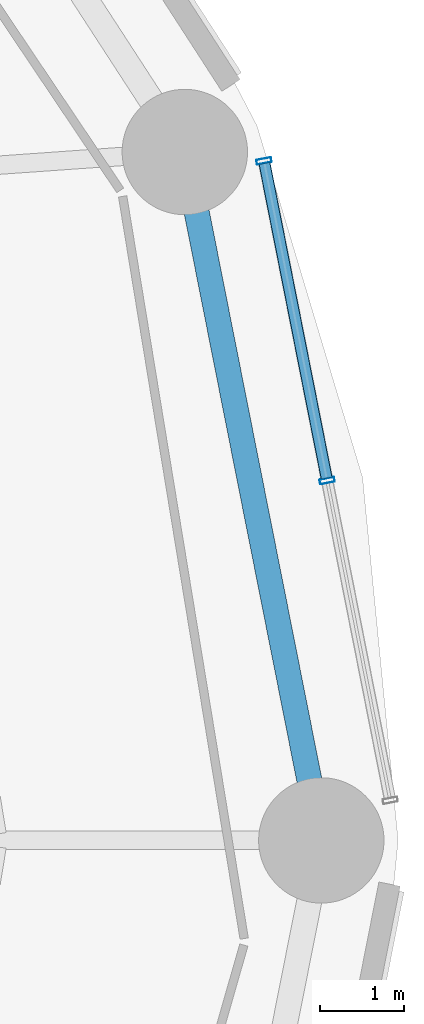
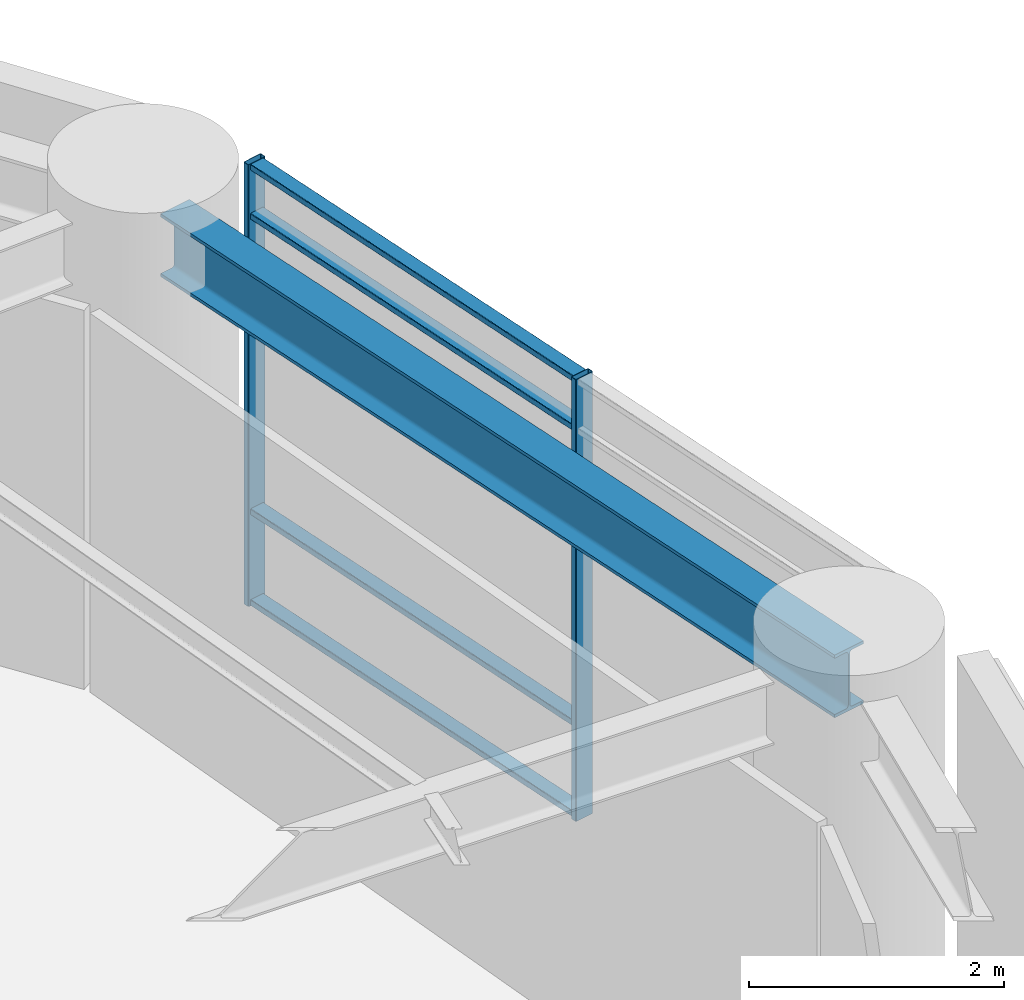
# One storey, part 24 of 46: 6 members, 1 beam, 1 element without a shape of its own.
"""IFC4 building model written with IfcOpenShell, lengths in metres."""

import ifcopenshell
import ifcopenshell.guid

model = None  # the IFC model being written
_history = None  # IfcOwnerHistory: only IFC2X3 demands one
_inside = {}  # id of a spatial element -> (the spatial element, [elements in it])
_under = {}  # id of a project, library or spatial element -> (it, [spatial elements below it])
_declared = {}  # id of a project -> (the project, [libraries it declares])
_typed = {}  # id of a type object -> (the type object, [elements of that type])
_made_of = {}  # id of a material, layer set ... -> (it, [elements and type objects made of it])


def new_model(schema):
    """Start an empty IFC model of exactly this schema.

    Asked for "IFC4X3", IfcOpenShell would pick the latest addendum, in which some entities
    have other attributes; the version numbers below select the first issue.
    IFC2X3 requires an IfcOwnerHistory on every rooted entity: one is made here for all.
    """
    global model, _history
    if schema == "IFC4X3":
        model = ifcopenshell.file(schema_version=(4, 3, 0, 0))
    else:
        model = ifcopenshell.file(schema=schema)
    _inside.clear()
    _under.clear()
    _declared.clear()
    _typed.clear()
    _made_of.clear()
    _history = None
    if model.schema == "IFC2X3":
        org = make("IfcOrganization", Name="unknown")
        user = make(
            "IfcPersonAndOrganization",
            ThePerson=make("IfcPerson", FamilyName="unknown"),
            TheOrganization=org,
        )
        app = make(
            "IfcApplication",
            ApplicationDeveloper=org,
            Version="unknown",
            ApplicationFullName="unknown",
            ApplicationIdentifier="unknown",
        )
        _history = make(
            "IfcOwnerHistory",
            OwningUser=user,
            OwningApplication=app,
            ChangeAction="ADDED",
            CreationDate=0,
        )
    return model


def make(cls, **values):
    """One entity of the class cls with the attributes given. An attribute that is None is left unset."""
    return model.create_entity(
        cls, **{name: value for name, value in values.items() if value is not None}
    )


def rooted(cls, **values):
    """An entity with a GlobalId (a new one), such as an element, a storey or a relation."""
    return make(cls, GlobalId=ifcopenshell.guid.new(), OwnerHistory=_history, **values)


def si_unit(unit_type, name, prefix=None):
    """IfcSIUnit, for example si_unit("LENGTHUNIT", "METRE", prefix="MILLI")."""
    return make("IfcSIUnit", UnitType=unit_type, Prefix=prefix, Name=name)


def assignment(units):
    """IfcUnitAssignment: the units of a project."""
    return None if units is None else make("IfcUnitAssignment", Units=units)


def point(xyz):
    """IfcCartesianPoint."""
    return None if xyz is None else make("IfcCartesianPoint", Coordinates=xyz)


def direction(xyz):
    """IfcDirection."""
    return None if xyz is None else make("IfcDirection", DirectionRatios=xyz)


def frame(location, z_axis=None, x_axis=None):
    """IfcAxis2Placement3D, a coordinate frame: its origin and axes. An axis left out is left unset."""
    return make(
        "IfcAxis2Placement3D",
        Location=point(location),
        Axis=direction(z_axis),
        RefDirection=direction(x_axis),
    )


def frame_2d(location, x_axis=None):
    """IfcAxis2Placement2D, a coordinate frame in the plane: its origin and x axis."""
    return make(
        "IfcAxis2Placement2D", Location=point(location), RefDirection=direction(x_axis)
    )


def origin():
    """The frame at (0, 0, 0) with its axes left unset."""
    return frame((0.0, 0.0, 0.0))


def origin_2d():
    """The frame at (0, 0) in the plane with its x axis left unset."""
    return frame_2d((0.0, 0.0))


def place(relative_to, where):
    """IfcLocalPlacement: puts the frame where relative to a parent placement (None: the world)."""
    return make(
        "IfcLocalPlacement", PlacementRelTo=relative_to, RelativePlacement=where
    )


def context(
    kind, dimensions, precision=None, world=None, true_north=None, identifier=None
):
    """IfcGeometricRepresentationContext, for example the 3D "Model" context."""
    return make(
        "IfcGeometricRepresentationContext",
        ContextIdentifier=identifier,
        ContextType=kind,
        CoordinateSpaceDimension=dimensions,
        Precision=precision,
        WorldCoordinateSystem=world,
        TrueNorth=true_north,
    )


def subcontext(parent, identifier, kind, view, scale=None):
    """IfcGeometricRepresentationSubContext, for example "Body" below "Model"."""
    return make(
        "IfcGeometricRepresentationSubContext",
        ContextIdentifier=identifier,
        ContextType=kind,
        ParentContext=parent,
        TargetScale=scale,
        TargetView=view,
    )


def project(units=None, contexts=None):
    """IfcProject with its units and contexts."""
    return rooted(
        "IfcProject",
        Name="project",
        RepresentationContexts=contexts,
        UnitsInContext=assignment(units),
    )


def spatial(cls, under=None, at=None, **own):
    """A site, building, storey or space (cls), placed at a placement, below another one or the project."""
    s = rooted(cls, ObjectPlacement=at, **own)
    if under is not None:
        _under.setdefault(under.id(), (under, []))[1].append(s)
    return s


def profile(cls, at=None, kind="AREA", **sizes):
    """A parametric profile (cls). Its sizes go by their IFC names, for example OverallWidth=200.0."""
    return make(cls, ProfileType=kind, Position=at, **sizes)


def hollow_rectangle(**sizes):
    """IfcRectangleHollowProfileDef."""
    return profile("IfcRectangleHollowProfileDef", **sizes)


def i_section(**sizes):
    """IfcIShapeProfileDef."""
    return profile("IfcIShapeProfileDef", **sizes)


def extrude(swept, where, along, depth):
    """IfcExtrudedAreaSolid: the profile swept, set in the frame where, extruded along a direction by depth."""
    return make(
        "IfcExtrudedAreaSolid",
        SweptArea=swept,
        Position=where,
        ExtrudedDirection=direction(along),
        Depth=depth,
    )


def shape(context_of_items, identifier, shape_type, items):
    """IfcShapeRepresentation: the items that make up one representation, for example the "Body"."""
    return make(
        "IfcShapeRepresentation",
        ContextOfItems=context_of_items,
        RepresentationIdentifier=identifier,
        RepresentationType=shape_type,
        Items=items,
    )


def material(Name=None, Category=None):
    """IfcMaterial."""
    return make("IfcMaterial", Name=Name, Category=Category)


def layer(
    of_material, thickness, ventilated=None, Name=None, Category=None, Priority=None
):
    """IfcMaterialLayer: one layer of a wall or slab, of a material (None: an air gap)."""
    return make(
        "IfcMaterialLayer",
        Material=of_material,
        LayerThickness=thickness,
        IsVentilated=ventilated,
        Name=Name,
        Category=Category,
        Priority=Priority,
    )


def layer_set(layers, Name=None):
    """IfcMaterialLayerSet."""
    return make("IfcMaterialLayerSet", MaterialLayers=layers, LayerSetName=Name)


def material_profile(
    of_material, cross_section, Name=None, Category=None, Priority=None
):
    """IfcMaterialProfile: a cross section and its material."""
    return make(
        "IfcMaterialProfile",
        Name=Name,
        Material=of_material,
        Profile=cross_section,
        Priority=Priority,
        Category=Category,
    )


def profile_set(profiles, Name=None, composite=None):
    """IfcMaterialProfileSet."""
    return make(
        "IfcMaterialProfileSet",
        Name=Name,
        MaterialProfiles=profiles,
        CompositeProfile=composite,
    )


def made_of(thing, what):
    """Note that an element or type object is made of a material, layer set ...; save() writes the relation."""
    if what is not None:
        _made_of.setdefault(what.id(), (what, []))[1].append(thing)
    return thing


def type_object(cls, material=None, **own):
    """A type object (cls), such as IfcWallType, which elements share."""
    return made_of(rooted(cls, **own), material)


def element(
    cls,
    number,
    at=None,
    inside=None,
    cuts=None,
    type_object=None,
    material=None,
    context=None,
    identifier="Body",
    shape_type=None,
    held_by="IfcProductDefinitionShape",
    body=None,
    shapes=None,
    **own,
):
    """One element of the class cls, such as IfcWall. Its Tag is "e" and its number.

    at: its placement. inside: the storey or other place that contains it. cuts: it is an
    opening in that element (IfcRelVoidsElement). A single representation is given by context,
    identifier, shape_type and body (its items); several are given by shapes. held_by: the class
    of the entity that holds the representations. save() writes the other relations.
    """
    e = rooted(cls, Tag="e%d" % number, ObjectPlacement=at, **own)
    if body is not None:
        shapes = [shape(context, identifier, shape_type, body)]
    if shapes is not None:
        e.Representation = make(held_by, Representations=shapes)
    if inside is not None:
        _inside.setdefault(inside.id(), (inside, []))[1].append(e)
    if cuts is not None:
        rooted(
            "IfcRelVoidsElement", RelatingBuildingElement=cuts, RelatedOpeningElement=e
        )
    if type_object is not None:
        _typed.setdefault(type_object.id(), (type_object, []))[1].append(e)
    return made_of(e, material)


def aggregate(whole, parts):
    """IfcRelAggregates: a whole, such as a stair, and the parts it consists of."""
    return rooted("IfcRelAggregates", RelatingObject=whole, RelatedObjects=parts)


def save(model, path):
    """Write the relations noted so far, then the file.

    IfcRelAggregates (storeys below a building ...), IfcRelContainedInSpatialStructure (elements
    in a storey), IfcRelDefinesByType, IfcRelAssociatesMaterial and IfcRelDeclares: one each for
    every whole, place, type object, material and project.
    """
    for whole, parts in _under.values():
        aggregate(whole, parts)
    for where, things in _inside.values():
        rooted(
            "IfcRelContainedInSpatialStructure",
            RelatedElements=things,
            RelatingStructure=where,
        )
    for kind, things in _typed.values():
        rooted("IfcRelDefinesByType", RelatedObjects=things, RelatingType=kind)
    for what, things in _made_of.values():
        rooted("IfcRelAssociatesMaterial", RelatedObjects=things, RelatingMaterial=what)
    for by, libraries in _declared.values():
        rooted("IfcRelDeclares", RelatingContext=by, RelatedDefinitions=libraries)
    model.write(path)


model = new_model("IFC4")

# Units and contexts
model_context = context("Model", 3, precision=1e-05, world=origin(), true_north=direction((0.0, 1.0)))
body_context = subcontext(model_context, "Body", "Model", "MODEL_VIEW")
ifc_project = project(units=[si_unit("LENGTHUNIT", "METRE"), si_unit("AREAUNIT", "SQUARE_METRE"), si_unit("VOLUMEUNIT", "CUBIC_METRE"), si_unit("PLANEANGLEUNIT", "RADIAN"), si_unit("MASSUNIT", "GRAM", prefix="KILO")], contexts=[model_context])

# Site, building, storey
site_placement = place(None, origin())
site = spatial("IfcSite", under=ifc_project, at=site_placement, CompositionType="ELEMENT")
building_placement = place(site_placement, origin())
building = spatial("IfcBuilding", under=site, at=building_placement, Name="Kelanora Arch Commons", CompositionType="ELEMENT")
storey_placement = place(building_placement, frame((0.0, 0.0, 18.0)))
storey = spatial("IfcBuildingStorey", under=building, at=storey_placement, Name="L04", CompositionType="ELEMENT", Elevation=18.0)

# Beam
ifc_material_1 = material(Name="Steel S355", Category="steel")
ifc_material_profile_1 = material_profile(ifc_material_1, i_section(OverallWidth=0.300048828125, OverallDepth=0.60009765625, WebThickness=0.015380859375, FlangeThickness=0.030029296875, FilletRadius=0.027099609375, at=origin_2d()), Name="HEB600")
ifc_profile_set_1 = profile_set([ifc_material_profile_1], Name="Steel S355")
beam_type = type_object("IfcBeamType", Name="BM-SPN-Z1", PredefinedType="SPANDREL", material=ifc_profile_set_1)
beam_placement = place(storey_placement, frame((101.080078125, 58.0, 3.93994140625), z_axis=(-0.194522790633, 0.980897998736, 0.0), x_axis=(-0.980897998736, -0.194522790633, 0.0)))
element("IfcBeam", 1, at=beam_placement, inside=storey, type_object=beam_type, Name="Perimeter Spandrel Beam BS-00 L04", PredefinedType="SPANDREL", context=body_context, shape_type="SweptSolid", body=[
    extrude(i_section(OverallWidth=0.300048828125, OverallDepth=0.60009765625, WebThickness=0.015380859375, FlangeThickness=0.030029296875, FilletRadius=0.027099609375, at=origin_2d()), origin(), (0.0, 0.0, 1.0), 8.01611328125),
])

# Curtain wall, members
ifc_material_2 = material(Name="Terracotta ceramic-fritted low-E glass and aluminium", Category="masonry")
ifc_layer = layer(ifc_material_2, 0.2099609375)
ifc_layer_set = layer_set([ifc_layer], Name="Terracotta ceramic-fritted low-E glass and aluminium")
curtain_wall_type = type_object("IfcCurtainWallType", Name="CW-SYS-04", PredefinedType="NOTDEFINED", material=ifc_layer_set)
curtain_wall_placement = place(storey_placement, origin())
curtain_wall = element("IfcCurtainWall", 2, at=curtain_wall_placement, inside=storey, type_object=curtain_wall_type, Name="Unitised Curtain Wall L04-B00", PredefinedType="NOTDEFINED")
ifc_material_3 = material(Name="Powder-coated aluminium terracotta", Category="masonry")
ifc_material_profile_2 = material_profile(ifc_material_3, hollow_rectangle(XDim=0.179931640625, YDim=0.06005859375, WallThickness=0.0048828125, InnerFilletRadius=0.0048828125, OuterFilletRadius=0.010009765625, at=origin_2d()), Name="CWM180x60")
ifc_profile_set_2 = profile_set([ifc_material_profile_2], Name="Powder-coated aluminium terracotta")
member_type_1 = type_object("IfcMemberType", Name="CWM-HVY", PredefinedType="MULLION", material=ifc_profile_set_2)
member_1_placement = place(storey_placement, frame((101.14990234375, 62.30419921875, 0.0), z_axis=(0.0, 0.0, 1.0), x_axis=(-0.981053537743, -0.193736821698, 0.0)))
member_1 = element("IfcMember", 3, at=member_1_placement, type_object=member_type_1, Name="CW-04 mullion 2", PredefinedType="MULLION", context=body_context, shape_type="SweptSolid", body=[
    extrude(hollow_rectangle(XDim=0.179931640625, YDim=0.06005859375, WallThickness=0.0048828125, InnerFilletRadius=0.0048828125, OuterFilletRadius=0.010009765625, at=origin_2d()), origin(), (0.0, 0.0, 1.0), 4.22509765625),
])
member_2_placement = place(storey_placement, frame((100.39453125, 66.12939453125, 0.0), z_axis=(0.0, 0.0, 1.0), x_axis=(-0.981053537743, -0.193736821698, 0.0)))
member_2 = element("IfcMember", 4, at=member_2_placement, type_object=member_type_1, Name="CW-04 mullion 3", PredefinedType="MULLION", context=body_context, shape_type="SweptSolid", body=[
    extrude(hollow_rectangle(XDim=0.179931640625, YDim=0.06005859375, WallThickness=0.0048828125, InnerFilletRadius=0.0048828125, OuterFilletRadius=0.010009765625, at=origin_2d()), origin(), (0.0, 0.0, 1.0), 4.22509765625),
])
ifc_material_profile_3 = material_profile(ifc_material_3, hollow_rectangle(XDim=0.139892578125, YDim=0.06005859375, WallThickness=0.0048828125, InnerFilletRadius=0.0048828125, OuterFilletRadius=0.010009765625, at=origin_2d()), Name="CWT140x60")
ifc_profile_set_3 = profile_set([ifc_material_profile_3], Name="Powder-coated aluminium terracotta")
member_type_2 = type_object("IfcMemberType", Name="CWT-HVY", PredefinedType="USERDEFINED", material=ifc_profile_set_3)
member_3_placement = place(storey_placement, frame((101.144287109375, 62.333740234375, 0.030029296875), z_axis=(-0.193779617254, 0.981045085578, 0.0), x_axis=(-0.981045085578, -0.193779617254, 0.0)))
member_3 = element("IfcMember", 5, at=member_3_placement, type_object=member_type_2, Name="CW-04 transom 2.1", ObjectType="TRANSOM", PredefinedType="USERDEFINED", context=body_context, shape_type="SweptSolid", body=[
    extrude(hollow_rectangle(XDim=0.139892578125, YDim=0.06005859375, WallThickness=0.0048828125, InnerFilletRadius=0.0048828125, OuterFilletRadius=0.010009765625, at=origin_2d()), origin(), (0.0, 0.0, 1.0), 3.8388671875),
])
member_4_placement = place(storey_placement, frame((101.144287109375, 62.333740234375, 0.89990234375), z_axis=(-0.193779617254, 0.981045085578, 0.0), x_axis=(-0.981045085578, -0.193779617254, 0.0)))
member_4 = element("IfcMember", 6, at=member_4_placement, type_object=member_type_2, Name="CW-04 transom 2.2", ObjectType="TRANSOM", PredefinedType="USERDEFINED", context=body_context, shape_type="SweptSolid", body=[
    extrude(hollow_rectangle(XDim=0.139892578125, YDim=0.06005859375, WallThickness=0.0048828125, InnerFilletRadius=0.0048828125, OuterFilletRadius=0.010009765625, at=origin_2d()), origin(), (0.0, 0.0, 1.0), 3.8388671875),
])
member_5_placement = place(storey_placement, frame((101.144287109375, 62.333740234375, 3.72509765625), z_axis=(-0.193779617254, 0.981045085578, 0.0), x_axis=(-0.981045085578, -0.193779617254, 0.0)))
member_5 = element("IfcMember", 7, at=member_5_placement, type_object=member_type_2, Name="CW-04 transom 2.3", ObjectType="TRANSOM", PredefinedType="USERDEFINED", context=body_context, shape_type="SweptSolid", body=[
    extrude(hollow_rectangle(XDim=0.139892578125, YDim=0.06005859375, WallThickness=0.0048828125, InnerFilletRadius=0.0048828125, OuterFilletRadius=0.010009765625, at=origin_2d()), origin(), (0.0, 0.0, 1.0), 3.8388671875),
])
member_6_placement = place(storey_placement, frame((101.144287109375, 62.333740234375, 4.195068359375), z_axis=(-0.193779617254, 0.981045085578, 0.0), x_axis=(-0.981045085578, -0.193779617254, 0.0)))
member_6 = element("IfcMember", 8, at=member_6_placement, type_object=member_type_2, Name="CW-04 transom 2.4", ObjectType="TRANSOM", PredefinedType="USERDEFINED", context=body_context, shape_type="SweptSolid", body=[
    extrude(hollow_rectangle(XDim=0.139892578125, YDim=0.06005859375, WallThickness=0.0048828125, InnerFilletRadius=0.0048828125, OuterFilletRadius=0.010009765625, at=origin_2d()), origin(), (0.0, 0.0, 1.0), 3.8388671875),
])
aggregate(curtain_wall, [member_1, member_2, member_3, member_4, member_5, member_6])

save(model, "model.ifc")
